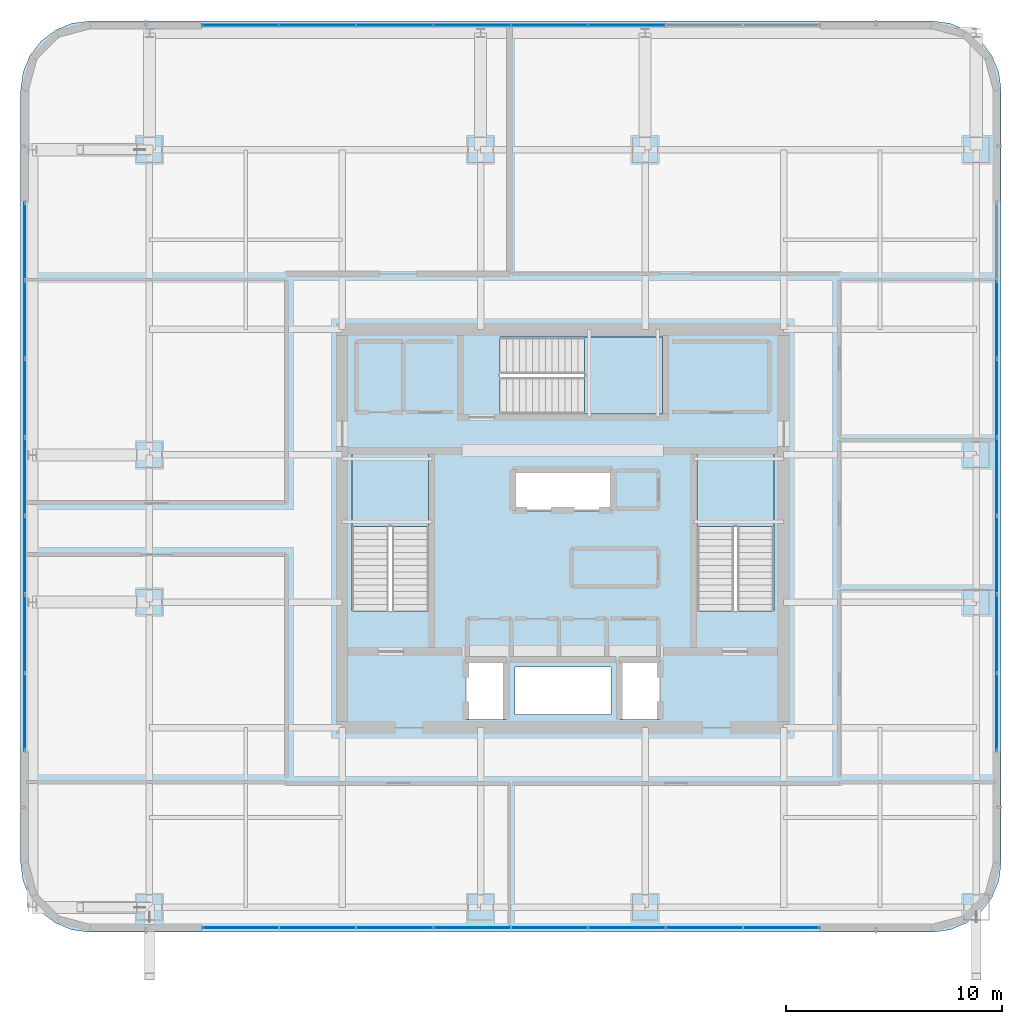
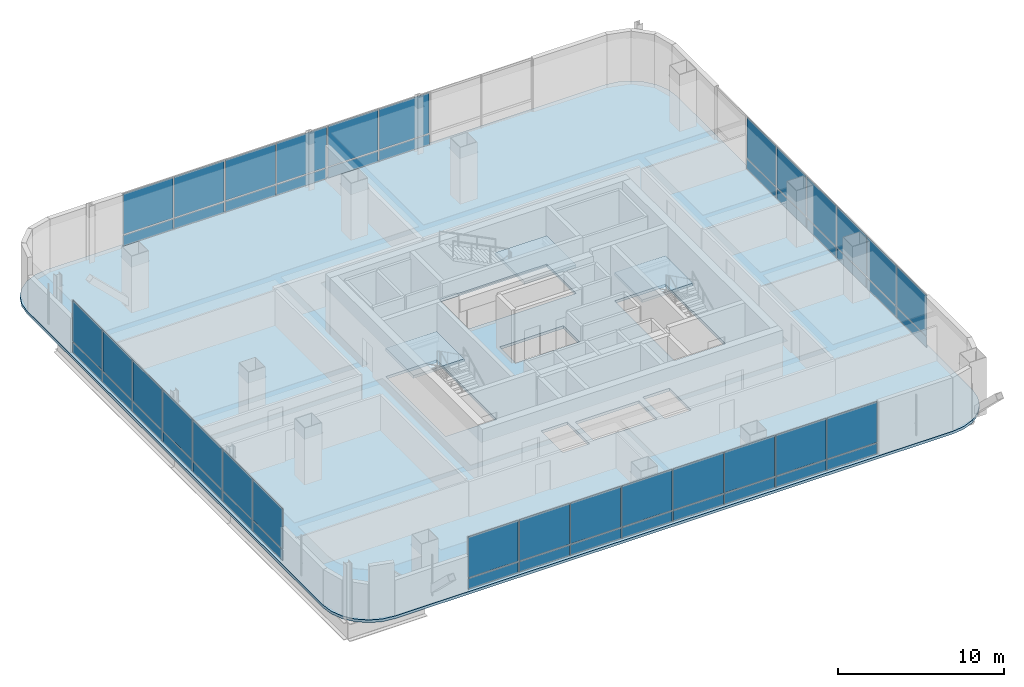
# One storey, part 30 of 51: 54 plates, 4 slabs, 7 elements without a shape of their own.
"""IFC4 building model written with IfcOpenShell, lengths in metres."""

from ifc_helpers import new_model, si_unit, direction, frame, origin, origin_2d, place, context, subcontext, project, spatial, polyline, rectangle, outline, extrude, material, layer, layer_set, type_object, element, aggregate, save


model = new_model("IFC4")

# Units and contexts
model_context = context("Model", 3, precision=1e-05, world=origin(), true_north=direction((0.0, 1.0)))
body_context = subcontext(model_context, "Body", "Model", "MODEL_VIEW")
ifc_project = project(units=[si_unit("LENGTHUNIT", "METRE"), si_unit("AREAUNIT", "SQUARE_METRE"), si_unit("VOLUMEUNIT", "CUBIC_METRE"), si_unit("PLANEANGLEUNIT", "RADIAN"), si_unit("MASSUNIT", "GRAM", prefix="KILO")], contexts=[model_context])

# Site, building, storey
site_placement = place(None, origin())
site = spatial("IfcSite", under=ifc_project, at=site_placement, CompositionType="ELEMENT")
building_placement = place(site_placement, origin())
building = spatial("IfcBuilding", under=site, at=building_placement, Name="Punatoya Terracotta Tower", CompositionType="ELEMENT")
storey_placement = place(building_placement, frame((0.0, 0.0, 313.199951171875)))
storey = spatial("IfcBuildingStorey", under=building, at=storey_placement, Name="L74", CompositionType="ELEMENT", Elevation=313.199951171875)

# Curtain wall, plates
ifc_material_1 = material(Name="Aluminium 6063-T6 + Double Low-E Glass", Category="aluminium")
curtain_wall_type = type_object("IfcCurtainWallType", Name="CW-M3", PredefinedType="NOTDEFINED", material=ifc_material_1)
curtain_wall_1_placement = place(storey_placement, origin())
curtain_wall_1 = element("IfcCurtainWall", 1, at=curtain_wall_1_placement, inside=storey, type_object=curtain_wall_type, Name="L74 Curtain Wall CW-L74-S01-1", PredefinedType="NOTDEFINED")
ifc_material_2 = material(Name="Double Low-E Acoustic Vision Glass", Category="glass")
ifc_layer_1 = layer(ifc_material_2, 0.031982421875)
ifc_layer_set_1 = layer_set([ifc_layer_1], Name="Double Low-E Acoustic Vision Glass")
plate_type_1 = type_object("IfcPlateType", Name="PLT-GLZ-32", PredefinedType="CURTAIN_PANEL", material=ifc_layer_set_1)
plate_1_placement = place(storey_placement, frame((-14.91259765625, -18.449951171875, 0.89013671875), z_axis=(0.0, 0.0, 1.0), x_axis=(1.0, 0.0, 0.0)))
plate_1 = element("IfcPlate", 2, at=plate_1_placement, type_object=plate_type_1, Name="CW-L74-S01-1 Vision Glass Panel 1", PredefinedType="CURTAIN_PANEL", context=body_context, shape_type="SweptSolid", body=[
    extrude(rectangle(XDim=3.489990234375, YDim=0.031982421875, at=origin_2d()), origin(), (0.0, 0.0, 1.0), 2.989990234375),
])
plate_2_placement = place(storey_placement, frame((-11.33740234375, -18.449951171875, 0.89013671875), z_axis=(0.0, 0.0, 1.0), x_axis=(1.0, 0.0, 0.0)))
plate_2 = element("IfcPlate", 3, at=plate_2_placement, type_object=plate_type_1, Name="CW-L74-S01-1 Vision Glass Panel 2", PredefinedType="CURTAIN_PANEL", context=body_context, shape_type="SweptSolid", body=[
    extrude(rectangle(XDim=3.489990234375, YDim=0.031982421875, at=origin_2d()), origin(), (0.0, 0.0, 1.0), 2.989990234375),
])
plate_3_placement = place(storey_placement, frame((-7.762451171875, -18.449951171875, 0.89013671875), z_axis=(0.0, 0.0, 1.0), x_axis=(1.0, 0.0, 0.0)))
plate_3 = element("IfcPlate", 4, at=plate_3_placement, type_object=plate_type_1, Name="CW-L74-S01-1 Vision Glass Panel 3", PredefinedType="CURTAIN_PANEL", context=body_context, shape_type="SweptSolid", body=[
    extrude(rectangle(XDim=3.489990234375, YDim=0.031982421875, at=origin_2d()), origin(), (0.0, 0.0, 1.0), 2.989990234375),
])
plate_4_placement = place(storey_placement, frame((-4.1875, -18.449951171875, 0.89013671875), z_axis=(0.0, 0.0, 1.0), x_axis=(1.0, 0.0, 0.0)))
plate_4 = element("IfcPlate", 5, at=plate_4_placement, type_object=plate_type_1, Name="CW-L74-S01-1 Vision Glass Panel 4", PredefinedType="CURTAIN_PANEL", context=body_context, shape_type="SweptSolid", body=[
    extrude(rectangle(XDim=3.489990234375, YDim=0.031982421875, at=origin_2d()), origin(), (0.0, 0.0, 1.0), 2.989990234375),
])
plate_5_placement = place(storey_placement, frame((-0.612548828125, -18.449951171875, 0.89013671875), z_axis=(0.0, 0.0, 1.0), x_axis=(1.0, 0.0, 0.0)))
plate_5 = element("IfcPlate", 6, at=plate_5_placement, type_object=plate_type_1, Name="CW-L74-S01-1 Vision Glass Panel 5", PredefinedType="CURTAIN_PANEL", context=body_context, shape_type="SweptSolid", body=[
    extrude(rectangle(XDim=3.489990234375, YDim=0.031982421875, at=origin_2d()), origin(), (0.0, 0.0, 1.0), 2.989990234375),
])
plate_6_placement = place(storey_placement, frame((2.96240234375, -18.449951171875, 0.89013671875), z_axis=(0.0, 0.0, 1.0), x_axis=(1.0, 0.0, 0.0)))
plate_6 = element("IfcPlate", 7, at=plate_6_placement, type_object=plate_type_1, Name="CW-L74-S01-1 Vision Glass Panel 6", PredefinedType="CURTAIN_PANEL", context=body_context, shape_type="SweptSolid", body=[
    extrude(rectangle(XDim=3.489990234375, YDim=0.031982421875, at=origin_2d()), origin(), (0.0, 0.0, 1.0), 2.989990234375),
])
plate_7_placement = place(storey_placement, frame((6.53759765625, -18.449951171875, 0.89013671875), z_axis=(0.0, 0.0, 1.0), x_axis=(1.0, 0.0, 0.0)))
plate_7 = element("IfcPlate", 8, at=plate_7_placement, type_object=plate_type_1, Name="CW-L74-S01-1 Vision Glass Panel 7", PredefinedType="CURTAIN_PANEL", context=body_context, shape_type="SweptSolid", body=[
    extrude(rectangle(XDim=3.489990234375, YDim=0.031982421875, at=origin_2d()), origin(), (0.0, 0.0, 1.0), 2.989990234375),
])
plate_8_placement = place(storey_placement, frame((10.112548828125, -18.449951171875, 0.89013671875), z_axis=(0.0, 0.0, 1.0), x_axis=(1.0, 0.0, 0.0)))
plate_8 = element("IfcPlate", 9, at=plate_8_placement, type_object=plate_type_1, Name="CW-L74-S01-1 Vision Glass Panel 8", PredefinedType="CURTAIN_PANEL", context=body_context, shape_type="SweptSolid", body=[
    extrude(rectangle(XDim=3.489990234375, YDim=0.031982421875, at=origin_2d()), origin(), (0.0, 0.0, 1.0), 2.989990234375),
])

curtain_wall_2_placement = place(storey_placement, origin())
curtain_wall_2 = element("IfcCurtainWall", 10, at=curtain_wall_2_placement, inside=storey, type_object=curtain_wall_type, Name="L74 Curtain Wall CW-L74-E05-1", PredefinedType="NOTDEFINED")
plate_9_placement = place(storey_placement, frame((20.050048828125, -8.485595703125, 0.89013671875), z_axis=(0.0, 0.0, 1.0), x_axis=(0.0, 1.0, 0.0)))
plate_9 = element("IfcPlate", 11, at=plate_9_placement, type_object=plate_type_1, Name="CW-L74-E05-1 Vision Glass Panel 1", PredefinedType="CURTAIN_PANEL", context=body_context, shape_type="SweptSolid", body=[
    extrude(rectangle(XDim=3.543701171875, YDim=0.031982421875, at=origin_2d()), origin(), (0.0, 0.0, 1.0), 2.989990234375),
])
plate_10_placement = place(storey_placement, frame((20.050048828125, -4.857177734375, 0.89013671875), z_axis=(0.0, 0.0, 1.0), x_axis=(0.0, 1.0, 0.0)))
plate_10 = element("IfcPlate", 12, at=plate_10_placement, type_object=plate_type_1, Name="CW-L74-E05-1 Vision Glass Panel 2", PredefinedType="CURTAIN_PANEL", context=body_context, shape_type="SweptSolid", body=[
    extrude(rectangle(XDim=3.543701171875, YDim=0.031982421875, at=origin_2d()), origin(), (0.0, 0.0, 1.0), 2.989990234375),
])
plate_11_placement = place(storey_placement, frame((20.050048828125, -1.228515625, 0.89013671875), z_axis=(0.0, 0.0, 1.0), x_axis=(0.0, 1.0, 0.0)))
plate_11 = element("IfcPlate", 13, at=plate_11_placement, type_object=plate_type_1, Name="CW-L74-E05-1 Vision Glass Panel 3", PredefinedType="CURTAIN_PANEL", context=body_context, shape_type="SweptSolid", body=[
    extrude(rectangle(XDim=3.543701171875, YDim=0.031982421875, at=origin_2d()), origin(), (0.0, 0.0, 1.0), 2.989990234375),
])
plate_12_placement = place(storey_placement, frame((20.050048828125, 2.39990234375, 0.89013671875), z_axis=(0.0, 0.0, 1.0), x_axis=(0.0, 1.0, 0.0)))
plate_12 = element("IfcPlate", 14, at=plate_12_placement, type_object=plate_type_1, Name="CW-L74-E05-1 Vision Glass Panel 4", PredefinedType="CURTAIN_PANEL", context=body_context, shape_type="SweptSolid", body=[
    extrude(rectangle(XDim=3.543701171875, YDim=0.031982421875, at=origin_2d()), origin(), (0.0, 0.0, 1.0), 2.989990234375),
])
plate_13_placement = place(storey_placement, frame((20.050048828125, 6.028564453125, 0.89013671875), z_axis=(0.0, 0.0, 1.0), x_axis=(0.0, 1.0, 0.0)))
plate_13 = element("IfcPlate", 15, at=plate_13_placement, type_object=plate_type_1, Name="CW-L74-E05-1 Vision Glass Panel 5", PredefinedType="CURTAIN_PANEL", context=body_context, shape_type="SweptSolid", body=[
    extrude(rectangle(XDim=3.543701171875, YDim=0.031982421875, at=origin_2d()), origin(), (0.0, 0.0, 1.0), 2.989990234375),
])
plate_14_placement = place(storey_placement, frame((20.050048828125, 9.656982421875, 0.89013671875), z_axis=(0.0, 0.0, 1.0), x_axis=(0.0, 1.0, 0.0)))
plate_14 = element("IfcPlate", 16, at=plate_14_placement, type_object=plate_type_1, Name="CW-L74-E05-1 Vision Glass Panel 6", PredefinedType="CURTAIN_PANEL", context=body_context, shape_type="SweptSolid", body=[
    extrude(rectangle(XDim=3.543701171875, YDim=0.031982421875, at=origin_2d()), origin(), (0.0, 0.0, 1.0), 2.989990234375),
])

curtain_wall_3_placement = place(storey_placement, origin())
curtain_wall_3 = element("IfcCurtainWall", 17, at=curtain_wall_3_placement, inside=storey, type_object=curtain_wall_type, Name="L74 Curtain Wall CW-L74-N09-1", PredefinedType="NOTDEFINED")
plate_15_placement = place(storey_placement, frame((2.96240234375, 23.25, 0.89013671875), z_axis=(0.0, 0.0, 1.0), x_axis=(-1.0, 0.0, 0.0)))
plate_15 = element("IfcPlate", 18, at=plate_15_placement, type_object=plate_type_1, Name="CW-L74-N09-1 Vision Glass Panel 3", PredefinedType="CURTAIN_PANEL", context=body_context, shape_type="SweptSolid", body=[
    extrude(rectangle(XDim=3.489990234375, YDim=0.031982421875, at=origin_2d()), origin(), (0.0, 0.0, 1.0), 2.989990234375),
])
plate_16_placement = place(storey_placement, frame((-0.612548828125, 23.25, 0.89013671875), z_axis=(0.0, 0.0, 1.0), x_axis=(-1.0, 0.0, 0.0)))
plate_16 = element("IfcPlate", 19, at=plate_16_placement, type_object=plate_type_1, Name="CW-L74-N09-1 Vision Glass Panel 4", PredefinedType="CURTAIN_PANEL", context=body_context, shape_type="SweptSolid", body=[
    extrude(rectangle(XDim=3.489990234375, YDim=0.031982421875, at=origin_2d()), origin(), (0.0, 0.0, 1.0), 2.989990234375),
])
plate_17_placement = place(storey_placement, frame((-4.1875, 23.25, 0.89013671875), z_axis=(0.0, 0.0, 1.0), x_axis=(-1.0, 0.0, 0.0)))
plate_17 = element("IfcPlate", 20, at=plate_17_placement, type_object=plate_type_1, Name="CW-L74-N09-1 Vision Glass Panel 5", PredefinedType="CURTAIN_PANEL", context=body_context, shape_type="SweptSolid", body=[
    extrude(rectangle(XDim=3.489990234375, YDim=0.031982421875, at=origin_2d()), origin(), (0.0, 0.0, 1.0), 2.989990234375),
])
plate_18_placement = place(storey_placement, frame((-7.762451171875, 23.25, 0.89013671875), z_axis=(0.0, 0.0, 1.0), x_axis=(-1.0, 0.0, 0.0)))
plate_18 = element("IfcPlate", 21, at=plate_18_placement, type_object=plate_type_1, Name="CW-L74-N09-1 Vision Glass Panel 6", PredefinedType="CURTAIN_PANEL", context=body_context, shape_type="SweptSolid", body=[
    extrude(rectangle(XDim=3.489990234375, YDim=0.031982421875, at=origin_2d()), origin(), (0.0, 0.0, 1.0), 2.989990234375),
])
plate_19_placement = place(storey_placement, frame((-11.33740234375, 23.25, 0.89013671875), z_axis=(0.0, 0.0, 1.0), x_axis=(-1.0, 0.0, 0.0)))
plate_19 = element("IfcPlate", 22, at=plate_19_placement, type_object=plate_type_1, Name="CW-L74-N09-1 Vision Glass Panel 7", PredefinedType="CURTAIN_PANEL", context=body_context, shape_type="SweptSolid", body=[
    extrude(rectangle(XDim=3.489990234375, YDim=0.031982421875, at=origin_2d()), origin(), (0.0, 0.0, 1.0), 2.989990234375),
])
plate_20_placement = place(storey_placement, frame((-14.91259765625, 23.25, 0.89013671875), z_axis=(0.0, 0.0, 1.0), x_axis=(-1.0, 0.0, 0.0)))
plate_20 = element("IfcPlate", 23, at=plate_20_placement, type_object=plate_type_1, Name="CW-L74-N09-1 Vision Glass Panel 8", PredefinedType="CURTAIN_PANEL", context=body_context, shape_type="SweptSolid", body=[
    extrude(rectangle(XDim=3.489990234375, YDim=0.031982421875, at=origin_2d()), origin(), (0.0, 0.0, 1.0), 2.989990234375),
])

curtain_wall_4_placement = place(storey_placement, origin())
curtain_wall_4 = element("IfcCurtainWall", 24, at=curtain_wall_4_placement, inside=storey, type_object=curtain_wall_type, Name="L74 Curtain Wall CW-L74-W13-1", PredefinedType="NOTDEFINED")
plate_21_placement = place(storey_placement, frame((-24.85009765625, 13.28564453125, 0.89013671875), z_axis=(0.0, 0.0, 1.0), x_axis=(0.0, -1.0, 0.0)))
plate_21 = element("IfcPlate", 25, at=plate_21_placement, type_object=plate_type_1, Name="CW-L74-W13-1 Vision Glass Panel 1", PredefinedType="CURTAIN_PANEL", context=body_context, shape_type="SweptSolid", body=[
    extrude(rectangle(XDim=3.543701171875, YDim=0.031982421875, at=origin_2d()), origin(), (0.0, 0.0, 1.0), 2.989990234375),
])
plate_22_placement = place(storey_placement, frame((-24.85009765625, 9.656982421875, 0.89013671875), z_axis=(0.0, 0.0, 1.0), x_axis=(0.0, -1.0, 0.0)))
plate_22 = element("IfcPlate", 26, at=plate_22_placement, type_object=plate_type_1, Name="CW-L74-W13-1 Vision Glass Panel 2", PredefinedType="CURTAIN_PANEL", context=body_context, shape_type="SweptSolid", body=[
    extrude(rectangle(XDim=3.543701171875, YDim=0.031982421875, at=origin_2d()), origin(), (0.0, 0.0, 1.0), 2.989990234375),
])
plate_23_placement = place(storey_placement, frame((-24.85009765625, 6.028564453125, 0.89013671875), z_axis=(0.0, 0.0, 1.0), x_axis=(0.0, -1.0, 0.0)))
plate_23 = element("IfcPlate", 27, at=plate_23_placement, type_object=plate_type_1, Name="CW-L74-W13-1 Vision Glass Panel 3", PredefinedType="CURTAIN_PANEL", context=body_context, shape_type="SweptSolid", body=[
    extrude(rectangle(XDim=3.543701171875, YDim=0.031982421875, at=origin_2d()), origin(), (0.0, 0.0, 1.0), 2.989990234375),
])
plate_24_placement = place(storey_placement, frame((-24.85009765625, 2.39990234375, 0.89013671875), z_axis=(0.0, 0.0, 1.0), x_axis=(0.0, -1.0, 0.0)))
plate_24 = element("IfcPlate", 28, at=plate_24_placement, type_object=plate_type_1, Name="CW-L74-W13-1 Vision Glass Panel 4", PredefinedType="CURTAIN_PANEL", context=body_context, shape_type="SweptSolid", body=[
    extrude(rectangle(XDim=3.543701171875, YDim=0.031982421875, at=origin_2d()), origin(), (0.0, 0.0, 1.0), 2.989990234375),
])
plate_25_placement = place(storey_placement, frame((-24.85009765625, -1.228515625, 0.89013671875), z_axis=(0.0, 0.0, 1.0), x_axis=(0.0, -1.0, 0.0)))
plate_25 = element("IfcPlate", 29, at=plate_25_placement, type_object=plate_type_1, Name="CW-L74-W13-1 Vision Glass Panel 5", PredefinedType="CURTAIN_PANEL", context=body_context, shape_type="SweptSolid", body=[
    extrude(rectangle(XDim=3.543701171875, YDim=0.031982421875, at=origin_2d()), origin(), (0.0, 0.0, 1.0), 2.989990234375),
])
plate_26_placement = place(storey_placement, frame((-24.85009765625, -4.857177734375, 0.89013671875), z_axis=(0.0, 0.0, 1.0), x_axis=(0.0, -1.0, 0.0)))
plate_26 = element("IfcPlate", 30, at=plate_26_placement, type_object=plate_type_1, Name="CW-L74-W13-1 Vision Glass Panel 6", PredefinedType="CURTAIN_PANEL", context=body_context, shape_type="SweptSolid", body=[
    extrude(rectangle(XDim=3.543701171875, YDim=0.031982421875, at=origin_2d()), origin(), (0.0, 0.0, 1.0), 2.989990234375),
])
plate_27_placement = place(storey_placement, frame((-24.85009765625, -8.485595703125, 0.89013671875), z_axis=(0.0, 0.0, 1.0), x_axis=(0.0, -1.0, 0.0)))
plate_27 = element("IfcPlate", 31, at=plate_27_placement, type_object=plate_type_1, Name="CW-L74-W13-1 Vision Glass Panel 7", PredefinedType="CURTAIN_PANEL", context=body_context, shape_type="SweptSolid", body=[
    extrude(rectangle(XDim=3.543701171875, YDim=0.031982421875, at=origin_2d()), origin(), (0.0, 0.0, 1.0), 2.989990234375),
])

# Plate
ifc_material_3 = material(Name="Insulated Terracotta-Backed Spandrel Panel", Category="masonry")
ifc_layer_2 = layer(ifc_material_3, 0.044921875)
ifc_layer_set_2 = layer_set([ifc_layer_2], Name="Insulated Terracotta-Backed Spandrel Panel")
plate_type_2 = type_object("IfcPlateType", Name="PLT-SPN-45", PredefinedType="CURTAIN_PANEL", material=ifc_layer_set_2)
plate_28_placement = place(storey_placement, frame((-14.91259765625, -18.449951171875, 0.0400390625), z_axis=(0.0, 0.0, 1.0), x_axis=(1.0, 0.0, 0.0)))
plate_28 = element("IfcPlate", 32, at=plate_28_placement, type_object=plate_type_2, Name="CW-L74-S01-1 Terracotta Spandrel Panel 1", PredefinedType="CURTAIN_PANEL", context=body_context, shape_type="SweptSolid", body=[
    extrude(rectangle(XDim=3.489990234375, YDim=0.044921875, at=origin_2d()), origin(), (0.0, 0.0, 1.0), 0.77490234375),
])

plate_29_placement = place(storey_placement, frame((-11.33740234375, -18.449951171875, 0.0400390625), z_axis=(0.0, 0.0, 1.0), x_axis=(1.0, 0.0, 0.0)))
plate_29 = element("IfcPlate", 33, at=plate_29_placement, type_object=plate_type_2, Name="CW-L74-S01-1 Terracotta Spandrel Panel 2", PredefinedType="CURTAIN_PANEL", context=body_context, shape_type="SweptSolid", body=[
    extrude(rectangle(XDim=3.489990234375, YDim=0.044921875, at=origin_2d()), origin(), (0.0, 0.0, 1.0), 0.77490234375),
])

plate_30_placement = place(storey_placement, frame((-7.762451171875, -18.449951171875, 0.0400390625), z_axis=(0.0, 0.0, 1.0), x_axis=(1.0, 0.0, 0.0)))
plate_30 = element("IfcPlate", 34, at=plate_30_placement, type_object=plate_type_2, Name="CW-L74-S01-1 Terracotta Spandrel Panel 3", PredefinedType="CURTAIN_PANEL", context=body_context, shape_type="SweptSolid", body=[
    extrude(rectangle(XDim=3.489990234375, YDim=0.044921875, at=origin_2d()), origin(), (0.0, 0.0, 1.0), 0.77490234375),
])

plate_31_placement = place(storey_placement, frame((-4.1875, -18.449951171875, 0.0400390625), z_axis=(0.0, 0.0, 1.0), x_axis=(1.0, 0.0, 0.0)))
plate_31 = element("IfcPlate", 35, at=plate_31_placement, type_object=plate_type_2, Name="CW-L74-S01-1 Terracotta Spandrel Panel 4", PredefinedType="CURTAIN_PANEL", context=body_context, shape_type="SweptSolid", body=[
    extrude(rectangle(XDim=3.489990234375, YDim=0.044921875, at=origin_2d()), origin(), (0.0, 0.0, 1.0), 0.77490234375),
])

plate_32_placement = place(storey_placement, frame((-0.612548828125, -18.449951171875, 0.0400390625), z_axis=(0.0, 0.0, 1.0), x_axis=(1.0, 0.0, 0.0)))
plate_32 = element("IfcPlate", 36, at=plate_32_placement, type_object=plate_type_2, Name="CW-L74-S01-1 Terracotta Spandrel Panel 5", PredefinedType="CURTAIN_PANEL", context=body_context, shape_type="SweptSolid", body=[
    extrude(rectangle(XDim=3.489990234375, YDim=0.044921875, at=origin_2d()), origin(), (0.0, 0.0, 1.0), 0.77490234375),
])

plate_33_placement = place(storey_placement, frame((2.96240234375, -18.449951171875, 0.0400390625), z_axis=(0.0, 0.0, 1.0), x_axis=(1.0, 0.0, 0.0)))
plate_33 = element("IfcPlate", 37, at=plate_33_placement, type_object=plate_type_2, Name="CW-L74-S01-1 Terracotta Spandrel Panel 6", PredefinedType="CURTAIN_PANEL", context=body_context, shape_type="SweptSolid", body=[
    extrude(rectangle(XDim=3.489990234375, YDim=0.044921875, at=origin_2d()), origin(), (0.0, 0.0, 1.0), 0.77490234375),
])

plate_34_placement = place(storey_placement, frame((6.53759765625, -18.449951171875, 0.0400390625), z_axis=(0.0, 0.0, 1.0), x_axis=(1.0, 0.0, 0.0)))
plate_34 = element("IfcPlate", 38, at=plate_34_placement, type_object=plate_type_2, Name="CW-L74-S01-1 Terracotta Spandrel Panel 7", PredefinedType="CURTAIN_PANEL", context=body_context, shape_type="SweptSolid", body=[
    extrude(rectangle(XDim=3.489990234375, YDim=0.044921875, at=origin_2d()), origin(), (0.0, 0.0, 1.0), 0.77490234375),
])

plate_35_placement = place(storey_placement, frame((10.112548828125, -18.449951171875, 0.0400390625), z_axis=(0.0, 0.0, 1.0), x_axis=(1.0, 0.0, 0.0)))
plate_35 = element("IfcPlate", 39, at=plate_35_placement, type_object=plate_type_2, Name="CW-L74-S01-1 Terracotta Spandrel Panel 8", PredefinedType="CURTAIN_PANEL", context=body_context, shape_type="SweptSolid", body=[
    extrude(rectangle(XDim=3.489990234375, YDim=0.044921875, at=origin_2d()), origin(), (0.0, 0.0, 1.0), 0.77490234375),
])

aggregate(curtain_wall_1, [plate_28, plate_1, plate_29, plate_2, plate_30, plate_3, plate_31, plate_4, plate_32, plate_5, plate_33, plate_6, plate_34, plate_7, plate_35, plate_8])

plate_36_placement = place(storey_placement, frame((20.050048828125, -8.485595703125, 0.0400390625), z_axis=(0.0, 0.0, 1.0), x_axis=(0.0, 1.0, 0.0)))
plate_36 = element("IfcPlate", 40, at=plate_36_placement, type_object=plate_type_2, Name="CW-L74-E05-1 Terracotta Spandrel Panel 1", PredefinedType="CURTAIN_PANEL", context=body_context, shape_type="SweptSolid", body=[
    extrude(rectangle(XDim=3.543701171875, YDim=0.044921875, at=origin_2d()), origin(), (0.0, 0.0, 1.0), 0.77490234375),
])

plate_37_placement = place(storey_placement, frame((20.050048828125, -4.857177734375, 0.0400390625), z_axis=(0.0, 0.0, 1.0), x_axis=(0.0, 1.0, 0.0)))
plate_37 = element("IfcPlate", 41, at=plate_37_placement, type_object=plate_type_2, Name="CW-L74-E05-1 Terracotta Spandrel Panel 2", PredefinedType="CURTAIN_PANEL", context=body_context, shape_type="SweptSolid", body=[
    extrude(rectangle(XDim=3.543701171875, YDim=0.044921875, at=origin_2d()), origin(), (0.0, 0.0, 1.0), 0.77490234375),
])

plate_38_placement = place(storey_placement, frame((20.050048828125, -1.228515625, 0.0400390625), z_axis=(0.0, 0.0, 1.0), x_axis=(0.0, 1.0, 0.0)))
plate_38 = element("IfcPlate", 42, at=plate_38_placement, type_object=plate_type_2, Name="CW-L74-E05-1 Terracotta Spandrel Panel 3", PredefinedType="CURTAIN_PANEL", context=body_context, shape_type="SweptSolid", body=[
    extrude(rectangle(XDim=3.543701171875, YDim=0.044921875, at=origin_2d()), origin(), (0.0, 0.0, 1.0), 0.77490234375),
])

plate_39_placement = place(storey_placement, frame((20.050048828125, 2.39990234375, 0.0400390625), z_axis=(0.0, 0.0, 1.0), x_axis=(0.0, 1.0, 0.0)))
plate_39 = element("IfcPlate", 43, at=plate_39_placement, type_object=plate_type_2, Name="CW-L74-E05-1 Terracotta Spandrel Panel 4", PredefinedType="CURTAIN_PANEL", context=body_context, shape_type="SweptSolid", body=[
    extrude(rectangle(XDim=3.543701171875, YDim=0.044921875, at=origin_2d()), origin(), (0.0, 0.0, 1.0), 0.77490234375),
])

plate_40_placement = place(storey_placement, frame((20.050048828125, 6.028564453125, 0.0400390625), z_axis=(0.0, 0.0, 1.0), x_axis=(0.0, 1.0, 0.0)))
plate_40 = element("IfcPlate", 44, at=plate_40_placement, type_object=plate_type_2, Name="CW-L74-E05-1 Terracotta Spandrel Panel 5", PredefinedType="CURTAIN_PANEL", context=body_context, shape_type="SweptSolid", body=[
    extrude(rectangle(XDim=3.543701171875, YDim=0.044921875, at=origin_2d()), origin(), (0.0, 0.0, 1.0), 0.77490234375),
])

plate_41_placement = place(storey_placement, frame((20.050048828125, 9.656982421875, 0.0400390625), z_axis=(0.0, 0.0, 1.0), x_axis=(0.0, 1.0, 0.0)))
plate_41 = element("IfcPlate", 45, at=plate_41_placement, type_object=plate_type_2, Name="CW-L74-E05-1 Terracotta Spandrel Panel 6", PredefinedType="CURTAIN_PANEL", context=body_context, shape_type="SweptSolid", body=[
    extrude(rectangle(XDim=3.543701171875, YDim=0.044921875, at=origin_2d()), origin(), (0.0, 0.0, 1.0), 0.77490234375),
])

aggregate(curtain_wall_2, [plate_36, plate_9, plate_37, plate_10, plate_38, plate_11, plate_39, plate_12, plate_40, plate_13, plate_41, plate_14])

plate_42_placement = place(storey_placement, frame((2.96240234375, 23.25, 0.0400390625), z_axis=(0.0, 0.0, 1.0), x_axis=(-1.0, 0.0, 0.0)))
plate_42 = element("IfcPlate", 46, at=plate_42_placement, type_object=plate_type_2, Name="CW-L74-N09-1 Terracotta Spandrel Panel 3", PredefinedType="CURTAIN_PANEL", context=body_context, shape_type="SweptSolid", body=[
    extrude(rectangle(XDim=3.489990234375, YDim=0.044921875, at=origin_2d()), origin(), (0.0, 0.0, 1.0), 0.77490234375),
])

plate_43_placement = place(storey_placement, frame((-0.612548828125, 23.25, 0.0400390625), z_axis=(0.0, 0.0, 1.0), x_axis=(-1.0, 0.0, 0.0)))
plate_43 = element("IfcPlate", 47, at=plate_43_placement, type_object=plate_type_2, Name="CW-L74-N09-1 Terracotta Spandrel Panel 4", PredefinedType="CURTAIN_PANEL", context=body_context, shape_type="SweptSolid", body=[
    extrude(rectangle(XDim=3.489990234375, YDim=0.044921875, at=origin_2d()), origin(), (0.0, 0.0, 1.0), 0.77490234375),
])

plate_44_placement = place(storey_placement, frame((-4.1875, 23.25, 0.0400390625), z_axis=(0.0, 0.0, 1.0), x_axis=(-1.0, 0.0, 0.0)))
plate_44 = element("IfcPlate", 48, at=plate_44_placement, type_object=plate_type_2, Name="CW-L74-N09-1 Terracotta Spandrel Panel 5", PredefinedType="CURTAIN_PANEL", context=body_context, shape_type="SweptSolid", body=[
    extrude(rectangle(XDim=3.489990234375, YDim=0.044921875, at=origin_2d()), origin(), (0.0, 0.0, 1.0), 0.77490234375),
])

plate_45_placement = place(storey_placement, frame((-7.762451171875, 23.25, 0.0400390625), z_axis=(0.0, 0.0, 1.0), x_axis=(-1.0, 0.0, 0.0)))
plate_45 = element("IfcPlate", 49, at=plate_45_placement, type_object=plate_type_2, Name="CW-L74-N09-1 Terracotta Spandrel Panel 6", PredefinedType="CURTAIN_PANEL", context=body_context, shape_type="SweptSolid", body=[
    extrude(rectangle(XDim=3.489990234375, YDim=0.044921875, at=origin_2d()), origin(), (0.0, 0.0, 1.0), 0.77490234375),
])

plate_46_placement = place(storey_placement, frame((-11.33740234375, 23.25, 0.0400390625), z_axis=(0.0, 0.0, 1.0), x_axis=(-1.0, 0.0, 0.0)))
plate_46 = element("IfcPlate", 50, at=plate_46_placement, type_object=plate_type_2, Name="CW-L74-N09-1 Terracotta Spandrel Panel 7", PredefinedType="CURTAIN_PANEL", context=body_context, shape_type="SweptSolid", body=[
    extrude(rectangle(XDim=3.489990234375, YDim=0.044921875, at=origin_2d()), origin(), (0.0, 0.0, 1.0), 0.77490234375),
])

plate_47_placement = place(storey_placement, frame((-14.91259765625, 23.25, 0.0400390625), z_axis=(0.0, 0.0, 1.0), x_axis=(-1.0, 0.0, 0.0)))
plate_47 = element("IfcPlate", 51, at=plate_47_placement, type_object=plate_type_2, Name="CW-L74-N09-1 Terracotta Spandrel Panel 8", PredefinedType="CURTAIN_PANEL", context=body_context, shape_type="SweptSolid", body=[
    extrude(rectangle(XDim=3.489990234375, YDim=0.044921875, at=origin_2d()), origin(), (0.0, 0.0, 1.0), 0.77490234375),
])

aggregate(curtain_wall_3, [plate_42, plate_15, plate_43, plate_16, plate_44, plate_17, plate_45, plate_18, plate_46, plate_19, plate_47, plate_20])

plate_48_placement = place(storey_placement, frame((-24.85009765625, 13.28564453125, 0.0400390625), z_axis=(0.0, 0.0, 1.0), x_axis=(0.0, -1.0, 0.0)))
plate_48 = element("IfcPlate", 52, at=plate_48_placement, type_object=plate_type_2, Name="CW-L74-W13-1 Terracotta Spandrel Panel 1", PredefinedType="CURTAIN_PANEL", context=body_context, shape_type="SweptSolid", body=[
    extrude(rectangle(XDim=3.543701171875, YDim=0.044921875, at=origin_2d()), origin(), (0.0, 0.0, 1.0), 0.77490234375),
])

plate_49_placement = place(storey_placement, frame((-24.85009765625, 9.656982421875, 0.0400390625), z_axis=(0.0, 0.0, 1.0), x_axis=(0.0, -1.0, 0.0)))
plate_49 = element("IfcPlate", 53, at=plate_49_placement, type_object=plate_type_2, Name="CW-L74-W13-1 Terracotta Spandrel Panel 2", PredefinedType="CURTAIN_PANEL", context=body_context, shape_type="SweptSolid", body=[
    extrude(rectangle(XDim=3.543701171875, YDim=0.044921875, at=origin_2d()), origin(), (0.0, 0.0, 1.0), 0.77490234375),
])

plate_50_placement = place(storey_placement, frame((-24.85009765625, 6.028564453125, 0.0400390625), z_axis=(0.0, 0.0, 1.0), x_axis=(0.0, -1.0, 0.0)))
plate_50 = element("IfcPlate", 54, at=plate_50_placement, type_object=plate_type_2, Name="CW-L74-W13-1 Terracotta Spandrel Panel 3", PredefinedType="CURTAIN_PANEL", context=body_context, shape_type="SweptSolid", body=[
    extrude(rectangle(XDim=3.543701171875, YDim=0.044921875, at=origin_2d()), origin(), (0.0, 0.0, 1.0), 0.77490234375),
])

plate_51_placement = place(storey_placement, frame((-24.85009765625, 2.39990234375, 0.0400390625), z_axis=(0.0, 0.0, 1.0), x_axis=(0.0, -1.0, 0.0)))
plate_51 = element("IfcPlate", 55, at=plate_51_placement, type_object=plate_type_2, Name="CW-L74-W13-1 Terracotta Spandrel Panel 4", PredefinedType="CURTAIN_PANEL", context=body_context, shape_type="SweptSolid", body=[
    extrude(rectangle(XDim=3.543701171875, YDim=0.044921875, at=origin_2d()), origin(), (0.0, 0.0, 1.0), 0.77490234375),
])

plate_52_placement = place(storey_placement, frame((-24.85009765625, -1.228515625, 0.0400390625), z_axis=(0.0, 0.0, 1.0), x_axis=(0.0, -1.0, 0.0)))
plate_52 = element("IfcPlate", 56, at=plate_52_placement, type_object=plate_type_2, Name="CW-L74-W13-1 Terracotta Spandrel Panel 5", PredefinedType="CURTAIN_PANEL", context=body_context, shape_type="SweptSolid", body=[
    extrude(rectangle(XDim=3.543701171875, YDim=0.044921875, at=origin_2d()), origin(), (0.0, 0.0, 1.0), 0.77490234375),
])

plate_53_placement = place(storey_placement, frame((-24.85009765625, -4.857177734375, 0.0400390625), z_axis=(0.0, 0.0, 1.0), x_axis=(0.0, -1.0, 0.0)))
plate_53 = element("IfcPlate", 57, at=plate_53_placement, type_object=plate_type_2, Name="CW-L74-W13-1 Terracotta Spandrel Panel 6", PredefinedType="CURTAIN_PANEL", context=body_context, shape_type="SweptSolid", body=[
    extrude(rectangle(XDim=3.543701171875, YDim=0.044921875, at=origin_2d()), origin(), (0.0, 0.0, 1.0), 0.77490234375),
])

plate_54_placement = place(storey_placement, frame((-24.85009765625, -8.485595703125, 0.0400390625), z_axis=(0.0, 0.0, 1.0), x_axis=(0.0, -1.0, 0.0)))
plate_54 = element("IfcPlate", 58, at=plate_54_placement, type_object=plate_type_2, Name="CW-L74-W13-1 Terracotta Spandrel Panel 7", PredefinedType="CURTAIN_PANEL", context=body_context, shape_type="SweptSolid", body=[
    extrude(rectangle(XDim=3.543701171875, YDim=0.044921875, at=origin_2d()), origin(), (0.0, 0.0, 1.0), 0.77490234375),
])

aggregate(curtain_wall_4, [plate_48, plate_21, plate_49, plate_22, plate_50, plate_23, plate_51, plate_24, plate_52, plate_25, plate_53, plate_26, plate_54, plate_27])

# Stair, slab
ifc_material_4 = material(Name="Concrete C40/50", Category="concrete")
stair_type_1 = type_object("IfcStairType", Name="STR-TER-1450", PredefinedType="HALF_TURN_STAIR", material=ifc_material_4)
stair_1_placement = place(storey_placement, origin())
stair_1 = element("IfcStair", 59, at=stair_1_placement, inside=storey, type_object=stair_type_1, Name="L74 Protected Core Exit Stair ST-3", PredefinedType="HALF_TURN_STAIR")
ifc_layer_3 = layer(ifc_material_4, 0.1650390625)
ifc_layer_set_3 = layer_set([ifc_layer_3], Name="Concrete C40/50")
slab_type_1 = type_object("IfcSlabType", Name="SLB-LND-165", PredefinedType="LANDING", material=ifc_layer_set_3)
slab_1_placement = place(storey_placement, frame((0.0, 0.0, 1.900146484375)))
slab_1 = element("IfcSlab", 60, at=slab_1_placement, type_object=slab_type_1, Name="ST-3 landing 1", PredefinedType="LANDING", context=body_context, shape_type="SweptSolid", body=[
    extrude(outline(polyline([(1.0, 5.300048828125), (4.60009765625, 5.300048828125), (4.60009765625, 8.85009765625), (1.0, 8.85009765625), (1.0, 5.300048828125)])), origin(), (0.0, 0.0, 1.0), 0.199951171875),
])
aggregate(stair_1, [slab_1])

stair_type_2 = type_object("IfcStairType", Name="STR-CORE-1550", PredefinedType="HALF_TURN_STAIR", material=ifc_material_4)
stair_2_placement = place(storey_placement, origin())
stair_2 = element("IfcStair", 61, at=stair_2_placement, inside=storey, type_object=stair_type_2, Name="L74 Protected Core Exit Stair ST-1", PredefinedType="HALF_TURN_STAIR")
ifc_layer_4 = layer(ifc_material_4, 0.179931640625)
ifc_layer_set_4 = layer_set([ifc_layer_4], Name="Concrete C40/50")
slab_type_2 = type_object("IfcSlabType", Name="SLB-LND-180", PredefinedType="LANDING", material=ifc_layer_set_4)
slab_2_placement = place(storey_placement, frame((0.0, 0.0, 1.900146484375)))
slab_2 = element("IfcSlab", 62, at=slab_2_placement, type_object=slab_type_2, Name="ST-1 landing 1", PredefinedType="LANDING", context=body_context, shape_type="SweptSolid", body=[
    extrude(outline(polyline([(-6.199951171875, 0.10009765625), (-6.199951171875, 3.449951171875), (-9.75, 3.449951171875), (-9.75, 0.10009765625), (-6.199951171875, 0.10009765625)])), origin(), (0.0, 0.0, 1.0), 0.199951171875),
])
aggregate(stair_2, [slab_2])

stair_type_3 = type_object("IfcStairType", Name="STR-LOB-1650", PredefinedType="HALF_TURN_STAIR", material=ifc_material_4)
stair_3_placement = place(storey_placement, origin())
stair_3 = element("IfcStair", 63, at=stair_3_placement, inside=storey, type_object=stair_type_3, Name="L74 Protected Core Exit Stair ST-2", PredefinedType="HALF_TURN_STAIR")
slab_3_placement = place(storey_placement, frame((0.0, 0.0, 1.900146484375)))
slab_3 = element("IfcSlab", 64, at=slab_3_placement, type_object=slab_type_2, Name="ST-2 landing 1", PredefinedType="LANDING", context=body_context, shape_type="SweptSolid", body=[
    extrude(outline(polyline([(9.75, 0.10009765625), (9.75, 3.449951171875), (6.199951171875, 3.449951171875), (6.199951171875, 0.10009765625), (9.75, 0.10009765625)])), origin(), (0.0, 0.0, 1.0), 0.199951171875),
])
aggregate(stair_3, [slab_3])

# Slab
ifc_layer_5 = layer(ifc_material_4, 0.199951171875)
ifc_layer_set_5 = layer_set([ifc_layer_5], Name="Concrete C40/50")
slab_type_3 = type_object("IfcSlabType", Name="SLB-OFF-200", PredefinedType="FLOOR", material=ifc_layer_set_5)
slab_4_placement = place(storey_placement, frame((0.0, 0.0, -0.199951171875)))
element("IfcSlab", 65, at=slab_4_placement, inside=storey, type_object=slab_type_3, Name="L74 Structural Floor Slab", PredefinedType="FLOOR", context=body_context, shape_type="SweptSolid", body=[
    extrude(outline(polyline([(-21.85009765625, -18.64990234375), (-22.67822265625, -18.541015625), (-23.449951171875, -18.22119140625), (-24.11279296875, -17.712646484375), (-24.621337890625, -17.050048828125), (-24.94091796875, -16.2783203125), (-25.050048828125, -15.449951171875), (-25.050048828125, 20.25), (-24.94091796875, 21.078125), (-24.621337890625, 21.85009765625), (-24.11279296875, 22.5126953125), (-23.449951171875, 23.021240234375), (-22.67822265625, 23.341064453125), (-21.85009765625, 23.449951171875), (17.050048828125, 23.449951171875), (17.878173828125, 23.341064453125), (18.64990234375, 23.021240234375), (19.312744140625, 22.5126953125), (19.8212890625, 21.85009765625), (20.14111328125, 21.078125), (20.25, 20.25), (20.25, -15.449951171875), (20.14111328125, -16.2783203125), (19.8212890625, -17.050048828125), (19.312744140625, -17.712646484375), (18.64990234375, -18.22119140625), (17.878173828125, -18.541015625), (17.050048828125, -18.64990234375), (-21.85009765625, -18.64990234375)]), holes=[polyline([(-2.6298828125, -6.179931640625), (-4.469970703125, -6.179931640625), (-4.469970703125, -8.820068359375), (-2.6298828125, -8.820068359375), (-2.6298828125, -6.179931640625)]), polyline([(-0.02001953125, -6.405029296875), (-2.219970703125, -6.405029296875), (-2.219970703125, -8.594970703125), (-0.02001953125, -8.594970703125), (0.02001953125, -8.594970703125), (2.219970703125, -8.594970703125), (2.219970703125, -6.405029296875), (0.02001953125, -6.405029296875), (-0.02001953125, -6.405029296875)]), polyline([(4.469970703125, -6.179931640625), (2.6298828125, -6.179931640625), (2.6298828125, -8.820068359375), (4.469970703125, -8.820068359375), (4.469970703125, -6.179931640625)]), polyline([(-9.75, 3.449951171875), (-9.75, -3.79931640625), (-6.199951171875, -3.79931640625), (-6.199951171875, 3.449951171875), (-9.75, 3.449951171875)]), polyline([(6.199951171875, 3.449951171875), (6.199951171875, -3.79931640625), (9.75, -3.79931640625), (9.75, 3.449951171875), (6.199951171875, 3.449951171875)]), polyline([(-2.219970703125, 2.719970703125), (-2.219970703125, 0.780029296875), (-0.02001953125, 0.780029296875), (0.02001953125, 0.780029296875), (2.219970703125, 0.780029296875), (2.219970703125, 2.719970703125), (0.02001953125, 2.719970703125), (-0.02001953125, 2.719970703125), (-2.219970703125, 2.719970703125)]), polyline([(4.60009765625, 5.300048828125), (4.60009765625, 8.85009765625), (-2.899169921875, 8.85009765625), (-2.899169921875, 5.300048828125), (4.60009765625, 5.300048828125)])]), origin(), (0.0, 0.0, 1.0), 0.199951171875),
])

save(model, "model.ifc")
